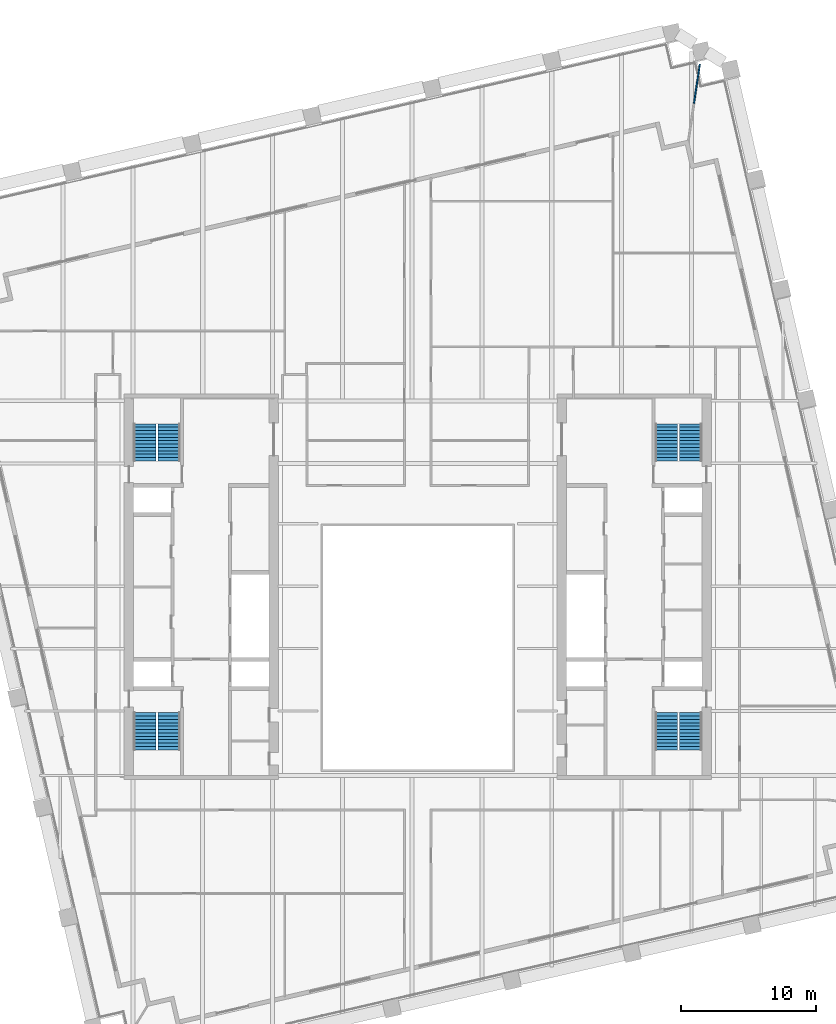
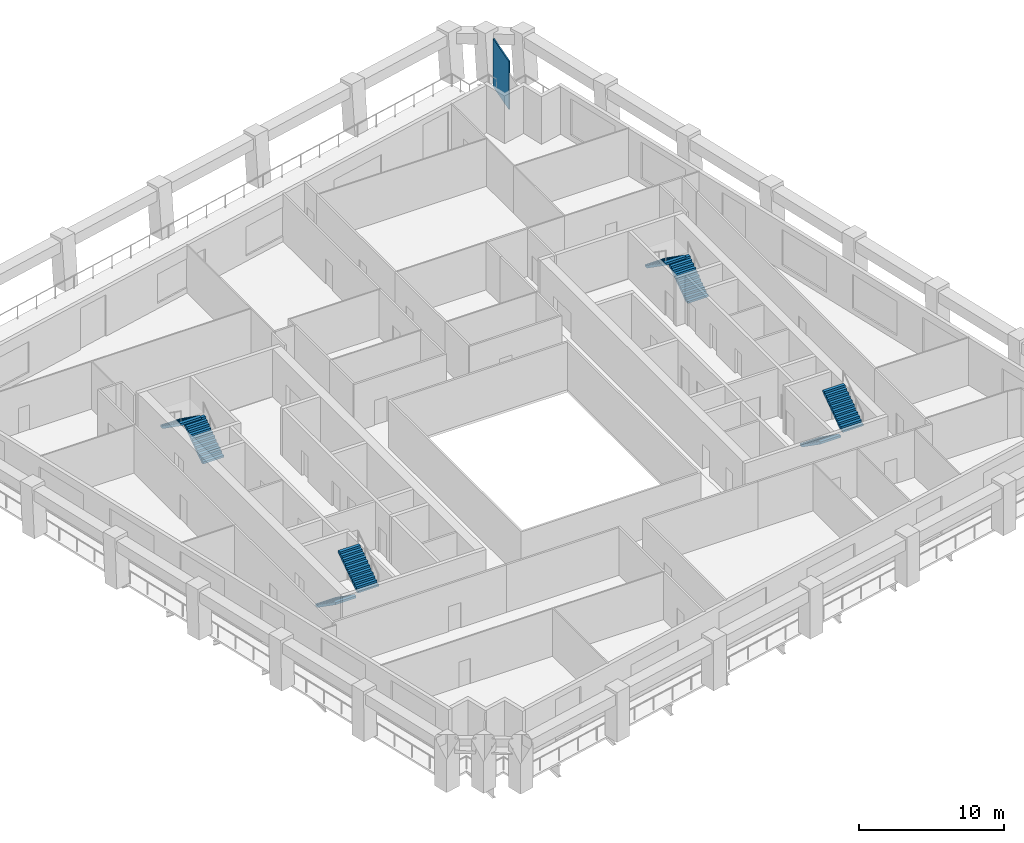
# One storey, part 9 of 11: 8 stair flights, 1 wall, 4 elements without a shape of their own.
"""IFC4 building model written with IfcOpenShell, lengths in metres."""

from ifc_helpers import new_model, si_unit, direction, frame, frame_2d, origin, place, context, subcontext, project, spatial, polyline, rectangle, outline, extrude, material, layer, layer_set, type_object, element, aggregate, save


model = new_model("IFC4")

# Units and contexts
model_context = context("Model", 3, precision=1e-05, world=origin(), true_north=direction((0.0, 1.0)))
body_context = subcontext(model_context, "Body", "Model", "MODEL_VIEW")
ifc_project = project(units=[si_unit("LENGTHUNIT", "METRE"), si_unit("AREAUNIT", "SQUARE_METRE"), si_unit("VOLUMEUNIT", "CUBIC_METRE"), si_unit("PLANEANGLEUNIT", "RADIAN"), si_unit("MASSUNIT", "GRAM", prefix="KILO")], contexts=[model_context])

# Site, building, storey
site_placement = place(None, origin())
site = spatial("IfcSite", under=ifc_project, at=site_placement, CompositionType="ELEMENT")
building_placement = place(site_placement, origin())
building = spatial("IfcBuilding", under=site, at=building_placement, Name="Ogive Exchange Tower", CompositionType="ELEMENT")
storey_placement = place(building_placement, frame((0.0, 0.0, 209.39990234375)))
storey = spatial("IfcBuildingStorey", under=building, at=storey_placement, Name="L46", CompositionType="ELEMENT", Elevation=209.39990234375)

# Wall
ifc_material_1 = material(Name="Laminated safety glass in steel frame", Category="steel")
ifc_layer = layer(ifc_material_1, 0.10009765625)
ifc_layer_set = layer_set([ifc_layer], Name="Loggia end screen 100")
wall_type = type_object("IfcWallType", Name="Loggia end screen 100", PredefinedType="STANDARD", material=ifc_layer_set)
wall_placement = place(storey_placement, frame((20.410400390625, 47.192138671875, -0.0498046875), z_axis=(0.0, 0.0, 1.0), x_axis=(0.148533493333, 0.988907377543, 0.0)))
element("IfcWall", 1, at=wall_placement, inside=storey, type_object=wall_type, Name="Loggia end screen C2", PredefinedType="STANDARD", context=body_context, shape_type="SweptSolid", body=[
    extrude(rectangle(XDim=2.968505859375, YDim=0.10009765625, at=frame_2d((1.484375, 0.0))), origin(), (0.0, 0.0, 1.0), 4.0498046875),
])

# Stair, stair flights
ifc_material_2 = material(Name="Concrete C40/50", Category="concrete")
stair_type = type_object("IfcStairType", Name="Exit stair 1650 wide", PredefinedType="HALF_TURN_STAIR", material=ifc_material_2)
stair_1_placement = place(storey_placement, origin())
stair_1 = element("IfcStair", 2, at=stair_1_placement, inside=storey, type_object=stair_type, Name="L46 exit stair ST1", PredefinedType="HALF_TURN_STAIR")
stair_flight_type = type_object("IfcStairFlightType", Name="Stair flight 1650 wide", PredefinedType="STRAIGHT", material=ifc_material_2)
stair_flight_1_placement = place(storey_placement, frame((-20.175048828125, 2.199951171875, 0.0), z_axis=(0.0, 0.0, 1.0), x_axis=(0.0, -1.0, 0.0)))
stair_flight_1 = element("IfcStairFlight", 3, at=stair_flight_1_placement, type_object=stair_flight_type, Name="ST1 flight 1", NumberOfRisers=12, NumberOfTreads=11, PredefinedType="STRAIGHT", RiserHeight=0.175, TreadLength=0.25, context=body_context, shape_type="SweptSolid", body=[
    extrude(outline(polyline([(0.0, 0.0), (0.0, 0.175048828125), (0.25, 0.175048828125), (0.25, 0.35009765625), (0.5, 0.35009765625), (0.5, 0.52490234375), (0.75, 0.52490234375), (0.75, 0.699951171875), (1.0, 0.699951171875), (1.0, 0.875), (1.25, 0.875), (1.25, 1.050048828125), (1.5, 1.050048828125), (1.5, 1.22509765625), (1.75, 1.22509765625), (1.75, 1.39990234375), (2.0, 1.39990234375), (2.0, 1.574951171875), (2.25, 1.574951171875), (2.25, 1.75), (2.5, 1.75), (2.5, 1.925048828125), (2.75, 1.925048828125), (2.75, 2.10009765625), (2.75, 1.741943359375), (0.261474609375, 0.0), (0.0, 0.0)])), frame((0.0, 0.824951171875, 0.0), z_axis=(0.0, -1.0, 0.0), x_axis=(1.0, 0.0, 0.0)), (0.0, 0.0, 1.0), 1.64990234375),
])
stair_flight_2_placement = place(storey_placement, frame((-18.375, -0.550048828125, 2.10009765625), z_axis=(0.0, 0.0, 1.0), x_axis=(0.0, 1.0, 0.0)))
stair_flight_2 = element("IfcStairFlight", 4, at=stair_flight_2_placement, type_object=stair_flight_type, Name="ST1 flight 2", NumberOfRisers=12, NumberOfTreads=11, PredefinedType="STRAIGHT", RiserHeight=0.175, TreadLength=0.25, context=body_context, shape_type="SweptSolid", body=[
    extrude(outline(polyline([(0.0, 0.0), (0.0, 0.175048828125), (0.25, 0.175048828125), (0.25, 0.35009765625), (0.5, 0.35009765625), (0.5, 0.52490234375), (0.75, 0.52490234375), (0.75, 0.699951171875), (1.0, 0.699951171875), (1.0, 0.875), (1.25, 0.875), (1.25, 1.050048828125), (1.5, 1.050048828125), (1.5, 1.22509765625), (1.75, 1.22509765625), (1.75, 1.39990234375), (2.0, 1.39990234375), (2.0, 1.574951171875), (2.25, 1.574951171875), (2.25, 1.75), (2.5, 1.75), (2.5, 1.925048828125), (2.75, 1.925048828125), (2.75, 2.10009765625), (2.75, 1.741943359375), (0.261474609375, 0.0), (0.0, 0.0)])), frame((0.0, 0.824951171875, 0.0), z_axis=(0.0, -1.0, 0.0), x_axis=(1.0, 0.0, 0.0)), (0.0, 0.0, 1.0), 1.64990234375),
])
aggregate(stair_1, [stair_flight_1, stair_flight_2])

stair_2_placement = place(storey_placement, origin())
stair_2 = element("IfcStair", 5, at=stair_2_placement, inside=storey, type_object=stair_type, Name="L46 exit stair ST2", PredefinedType="HALF_TURN_STAIR")
stair_flight_3_placement = place(storey_placement, frame((-18.375, 20.800048828125, 0.0), z_axis=(0.0, 0.0, 1.0), x_axis=(0.0, 1.0, 0.0)))
stair_flight_3 = element("IfcStairFlight", 6, at=stair_flight_3_placement, type_object=stair_flight_type, Name="ST2 flight 1", NumberOfRisers=12, NumberOfTreads=11, PredefinedType="STRAIGHT", RiserHeight=0.175, TreadLength=0.25, context=body_context, shape_type="SweptSolid", body=[
    extrude(outline(polyline([(0.0, 0.0), (0.0, 0.175048828125), (0.25, 0.175048828125), (0.25, 0.35009765625), (0.5, 0.35009765625), (0.5, 0.52490234375), (0.75, 0.52490234375), (0.75, 0.699951171875), (1.0, 0.699951171875), (1.0, 0.875), (1.25, 0.875), (1.25, 1.050048828125), (1.5, 1.050048828125), (1.5, 1.22509765625), (1.75, 1.22509765625), (1.75, 1.39990234375), (2.0, 1.39990234375), (2.0, 1.574951171875), (2.25, 1.574951171875), (2.25, 1.75), (2.5, 1.75), (2.5, 1.925048828125), (2.75, 1.925048828125), (2.75, 2.10009765625), (2.75, 1.741943359375), (0.261474609375, 0.0), (0.0, 0.0)])), frame((0.0, 0.824951171875, 0.0), z_axis=(0.0, -1.0, 0.0), x_axis=(1.0, 0.0, 0.0)), (0.0, 0.0, 1.0), 1.64990234375),
])
stair_flight_4_placement = place(storey_placement, frame((-20.175048828125, 23.550048828125, 2.10009765625), z_axis=(0.0, 0.0, 1.0), x_axis=(0.0, -1.0, 0.0)))
stair_flight_4 = element("IfcStairFlight", 7, at=stair_flight_4_placement, type_object=stair_flight_type, Name="ST2 flight 2", NumberOfRisers=12, NumberOfTreads=11, PredefinedType="STRAIGHT", RiserHeight=0.175, TreadLength=0.25, context=body_context, shape_type="SweptSolid", body=[
    extrude(outline(polyline([(0.0, 0.0), (0.0, 0.175048828125), (0.25, 0.175048828125), (0.25, 0.35009765625), (0.5, 0.35009765625), (0.5, 0.52490234375), (0.75, 0.52490234375), (0.75, 0.699951171875), (1.0, 0.699951171875), (1.0, 0.875), (1.25, 0.875), (1.25, 1.050048828125), (1.5, 1.050048828125), (1.5, 1.22509765625), (1.75, 1.22509765625), (1.75, 1.39990234375), (2.0, 1.39990234375), (2.0, 1.574951171875), (2.25, 1.574951171875), (2.25, 1.75), (2.5, 1.75), (2.5, 1.925048828125), (2.75, 1.925048828125), (2.75, 2.10009765625), (2.75, 1.741943359375), (0.261474609375, 0.0), (0.0, 0.0)])), frame((0.0, 0.824951171875, 0.0), z_axis=(0.0, -1.0, 0.0), x_axis=(1.0, 0.0, 0.0)), (0.0, 0.0, 1.0), 1.64990234375),
])
aggregate(stair_2, [stair_flight_3, stair_flight_4])

stair_3_placement = place(storey_placement, origin())
stair_3 = element("IfcStair", 8, at=stair_3_placement, inside=storey, type_object=stair_type, Name="L46 exit stair ST3", PredefinedType="HALF_TURN_STAIR")
stair_flight_5_placement = place(storey_placement, frame((18.375, 2.199951171875, 0.0), z_axis=(0.0, 0.0, 1.0), x_axis=(0.0, -1.0, 0.0)))
stair_flight_5 = element("IfcStairFlight", 9, at=stair_flight_5_placement, type_object=stair_flight_type, Name="ST3 flight 1", NumberOfRisers=12, NumberOfTreads=11, PredefinedType="STRAIGHT", RiserHeight=0.175, TreadLength=0.25, context=body_context, shape_type="SweptSolid", body=[
    extrude(outline(polyline([(0.0, 0.0), (0.0, 0.175048828125), (0.25, 0.175048828125), (0.25, 0.35009765625), (0.5, 0.35009765625), (0.5, 0.52490234375), (0.75, 0.52490234375), (0.75, 0.699951171875), (1.0, 0.699951171875), (1.0, 0.875), (1.25, 0.875), (1.25, 1.050048828125), (1.5, 1.050048828125), (1.5, 1.22509765625), (1.75, 1.22509765625), (1.75, 1.39990234375), (2.0, 1.39990234375), (2.0, 1.574951171875), (2.25, 1.574951171875), (2.25, 1.75), (2.5, 1.75), (2.5, 1.925048828125), (2.75, 1.925048828125), (2.75, 2.10009765625), (2.75, 1.741943359375), (0.261474609375, 0.0), (0.0, 0.0)])), frame((0.0, 0.824951171875, 0.0), z_axis=(0.0, -1.0, 0.0), x_axis=(1.0, 0.0, 0.0)), (0.0, 0.0, 1.0), 1.64990234375),
])
stair_flight_6_placement = place(storey_placement, frame((20.175048828125, -0.550048828125, 2.10009765625), z_axis=(0.0, 0.0, 1.0), x_axis=(0.0, 1.0, 0.0)))
stair_flight_6 = element("IfcStairFlight", 10, at=stair_flight_6_placement, type_object=stair_flight_type, Name="ST3 flight 2", NumberOfRisers=12, NumberOfTreads=11, PredefinedType="STRAIGHT", RiserHeight=0.175, TreadLength=0.25, context=body_context, shape_type="SweptSolid", body=[
    extrude(outline(polyline([(0.0, 0.0), (0.0, 0.175048828125), (0.25, 0.175048828125), (0.25, 0.35009765625), (0.5, 0.35009765625), (0.5, 0.52490234375), (0.75, 0.52490234375), (0.75, 0.699951171875), (1.0, 0.699951171875), (1.0, 0.875), (1.25, 0.875), (1.25, 1.050048828125), (1.5, 1.050048828125), (1.5, 1.22509765625), (1.75, 1.22509765625), (1.75, 1.39990234375), (2.0, 1.39990234375), (2.0, 1.574951171875), (2.25, 1.574951171875), (2.25, 1.75), (2.5, 1.75), (2.5, 1.925048828125), (2.75, 1.925048828125), (2.75, 2.10009765625), (2.75, 1.741943359375), (0.261474609375, 0.0), (0.0, 0.0)])), frame((0.0, 0.824951171875, 0.0), z_axis=(0.0, -1.0, 0.0), x_axis=(1.0, 0.0, 0.0)), (0.0, 0.0, 1.0), 1.64990234375),
])
aggregate(stair_3, [stair_flight_5, stair_flight_6])

stair_4_placement = place(storey_placement, origin())
stair_4 = element("IfcStair", 11, at=stair_4_placement, inside=storey, type_object=stair_type, Name="L46 exit stair ST4", PredefinedType="HALF_TURN_STAIR")
stair_flight_7_placement = place(storey_placement, frame((20.175048828125, 20.800048828125, 0.0), z_axis=(0.0, 0.0, 1.0), x_axis=(0.0, 1.0, 0.0)))
stair_flight_7 = element("IfcStairFlight", 12, at=stair_flight_7_placement, type_object=stair_flight_type, Name="ST4 flight 1", NumberOfRisers=12, NumberOfTreads=11, PredefinedType="STRAIGHT", RiserHeight=0.175, TreadLength=0.25, context=body_context, shape_type="SweptSolid", body=[
    extrude(outline(polyline([(0.0, 0.0), (0.0, 0.175048828125), (0.25, 0.175048828125), (0.25, 0.35009765625), (0.5, 0.35009765625), (0.5, 0.52490234375), (0.75, 0.52490234375), (0.75, 0.699951171875), (1.0, 0.699951171875), (1.0, 0.875), (1.25, 0.875), (1.25, 1.050048828125), (1.5, 1.050048828125), (1.5, 1.22509765625), (1.75, 1.22509765625), (1.75, 1.39990234375), (2.0, 1.39990234375), (2.0, 1.574951171875), (2.25, 1.574951171875), (2.25, 1.75), (2.5, 1.75), (2.5, 1.925048828125), (2.75, 1.925048828125), (2.75, 2.10009765625), (2.75, 1.741943359375), (0.261474609375, 0.0), (0.0, 0.0)])), frame((0.0, 0.824951171875, 0.0), z_axis=(0.0, -1.0, 0.0), x_axis=(1.0, 0.0, 0.0)), (0.0, 0.0, 1.0), 1.64990234375),
])
stair_flight_8_placement = place(storey_placement, frame((18.375, 23.550048828125, 2.10009765625), z_axis=(0.0, 0.0, 1.0), x_axis=(0.0, -1.0, 0.0)))
stair_flight_8 = element("IfcStairFlight", 13, at=stair_flight_8_placement, type_object=stair_flight_type, Name="ST4 flight 2", NumberOfRisers=12, NumberOfTreads=11, PredefinedType="STRAIGHT", RiserHeight=0.175, TreadLength=0.25, context=body_context, shape_type="SweptSolid", body=[
    extrude(outline(polyline([(0.0, 0.0), (0.0, 0.175048828125), (0.25, 0.175048828125), (0.25, 0.35009765625), (0.5, 0.35009765625), (0.5, 0.52490234375), (0.75, 0.52490234375), (0.75, 0.699951171875), (1.0, 0.699951171875), (1.0, 0.875), (1.25, 0.875), (1.25, 1.050048828125), (1.5, 1.050048828125), (1.5, 1.22509765625), (1.75, 1.22509765625), (1.75, 1.39990234375), (2.0, 1.39990234375), (2.0, 1.574951171875), (2.25, 1.574951171875), (2.25, 1.75), (2.5, 1.75), (2.5, 1.925048828125), (2.75, 1.925048828125), (2.75, 2.10009765625), (2.75, 1.741943359375), (0.261474609375, 0.0), (0.0, 0.0)])), frame((0.0, 0.824951171875, 0.0), z_axis=(0.0, -1.0, 0.0), x_axis=(1.0, 0.0, 0.0)), (0.0, 0.0, 1.0), 1.64990234375),
])
aggregate(stair_4, [stair_flight_7, stair_flight_8])

save(model, "model.ifc")
